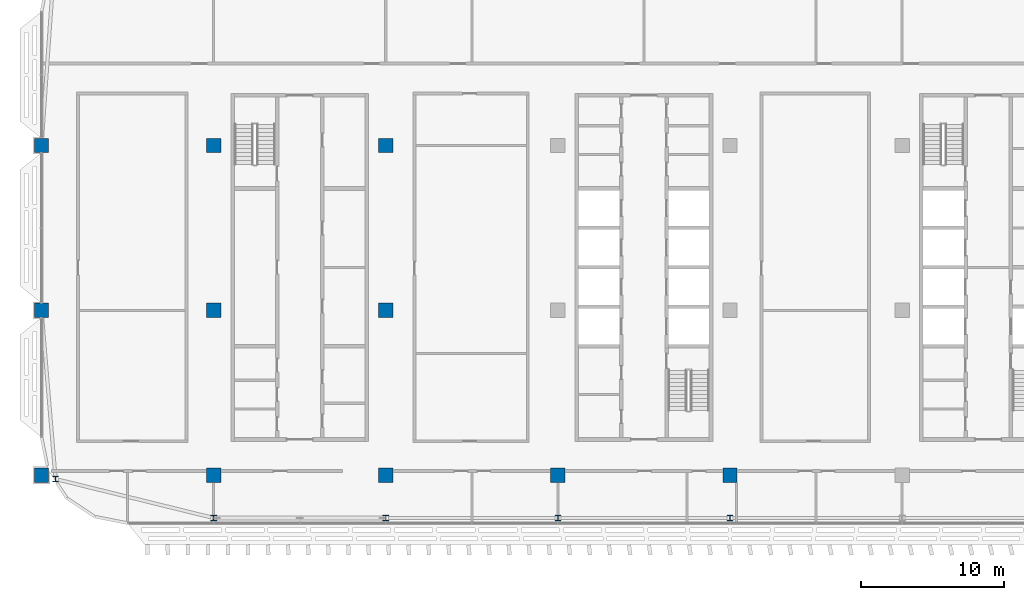
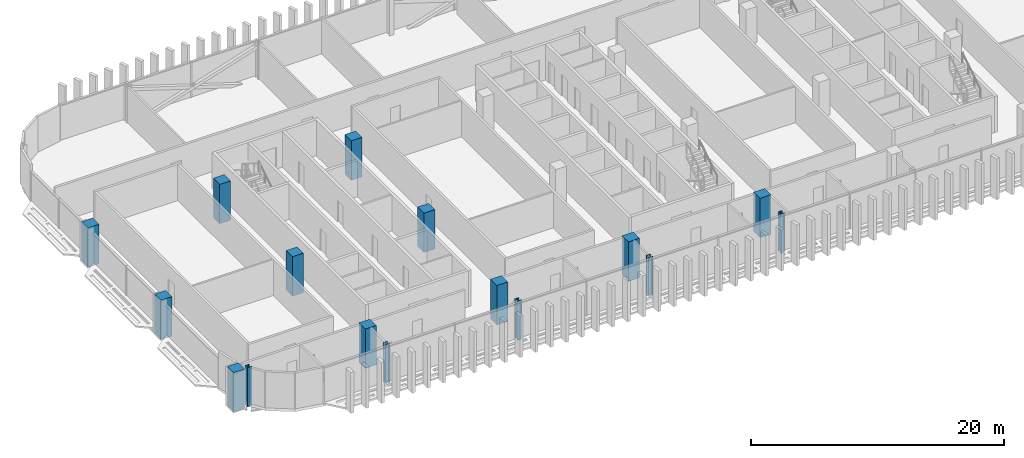
# One storey, part 1 of 35: 16 columns.
"""IFC4 building model written with IfcOpenShell, lengths in metres."""

from ifc_helpers import new_model, si_unit, direction, frame, origin, origin_2d, place, context, subcontext, project, spatial, rectangle, i_section, extrude, material, material_profile, profile_set, type_object, element, save


model = new_model("IFC4")

# Units and contexts
model_context = context("Model", 3, precision=1e-05, world=origin(), true_north=direction((0.0, 1.0)))
body_context = subcontext(model_context, "Body", "Model", "MODEL_VIEW")
ifc_project = project(units=[si_unit("LENGTHUNIT", "METRE"), si_unit("AREAUNIT", "SQUARE_METRE"), si_unit("VOLUMEUNIT", "CUBIC_METRE"), si_unit("PLANEANGLEUNIT", "RADIAN"), si_unit("MASSUNIT", "GRAM", prefix="KILO")], contexts=[model_context])

# Site, building, storey
site_placement = place(None, origin())
site = spatial("IfcSite", under=ifc_project, at=site_placement, CompositionType="ELEMENT")
building_placement = place(site_placement, origin())
building = spatial("IfcBuilding", under=site, at=building_placement, Name="Mahtab Terrace Research Tower", CompositionType="ELEMENT")
storey_placement = place(building_placement, frame((0.0, 0.0, 251.39990234375)))
storey = spatial("IfcBuildingStorey", under=building, at=storey_placement, Name="L61", CompositionType="ELEMENT", Elevation=251.39990234375)

# Columns
ifc_material_1 = material(Name="Concrete C70/85", Category="concrete")
ifc_material_profile_1 = material_profile(ifc_material_1, rectangle(XDim=1.0, YDim=1.0, at=origin_2d()), Name="RC column 1000x1000")
ifc_profile_set_1 = profile_set([ifc_material_profile_1], Name="Concrete C70/85")
column_type_1 = type_object("IfcColumnType", Name="RC column 1000x1000", PredefinedType="COLUMN", material=ifc_profile_set_1)
for number, where, z_axis, x_axis, name in (
    (1, (-42.0, -11.5, -0.33984375), (0.0, 0.0, 1.0), (1.0, 0.0, 0.0), "Column RC-1A L61"),
    (2, (-42.0, 0.0, -0.33984375), (0.0, 0.0, 1.0), (1.0, 0.0, 0.0), "Column RC-1B L61"),
    (3, (-42.0, 11.5, -0.33984375), (0.0, 0.0, 1.0), (1.0, 0.0, 0.0), "Column RC-1C L61"),
    (4, (-30.0, -11.5, -0.33984375), (0.0, 0.0, 1.0), (1.0, 0.0, 0.0), "Column RC-2A L61"),
    (5, (-30.0, 0.0, -0.33984375), (0.0, 0.0, 1.0), (1.0, 0.0, 0.0), "Column RC-2B L61"),
    (6, (-30.0, 11.5, -0.33984375), (0.0, 0.0, 1.0), (1.0, 0.0, 0.0), "Column RC-2C L61"),
    (7, (-18.0, -11.5, -0.33984375), (0.0, 0.0, 1.0), (1.0, 0.0, 0.0), "Column RC-3A L61"),
    (8, (-18.0, 0.0, -0.33984375), (0.0, 0.0, 1.0), (1.0, 0.0, 0.0), "Column RC-3B L61"),
    (9, (-18.0, 11.5, -0.33984375), (0.0, 0.0, 1.0), (1.0, 0.0, 0.0), "Column RC-3C L61"),
    (10, (-6.0, -11.5, -0.33984375), (0.0, 0.0, 1.0), (1.0, 0.0, 0.0), "Column RC-4A L61"),
    (11, (6.0, -11.5, -0.33984375), (0.0, 0.0, 1.0), (1.0, 0.0, 0.0), "Column RC-5A L61"),
):
    element("IfcColumn", number, at=place(storey_placement, frame(where, z_axis=z_axis, x_axis=x_axis)), inside=storey, type_object=column_type_1, Name=name, PredefinedType="COLUMN", context=body_context, shape_type="SweptSolid", body=[
        extrude(rectangle(XDim=1.0, YDim=1.0, at=origin_2d()), origin(), (0.0, 0.0, 1.0), 3.800048828125),
    ])
ifc_material_2 = material(Name="Steel ASTM A992 Gr 50", Category="steel")
ifc_material_profile_2 = material_profile(ifc_material_2, i_section(OverallWidth=0.398681640625, OverallDepth=0.385986328125, WebThickness=0.02099609375, FlangeThickness=0.033203125, at=origin_2d()), Name="W14X176")
ifc_profile_set_2 = profile_set([ifc_material_profile_2], Name="Steel ASTM A992 Gr 50")
column_type_2 = type_object("IfcColumnType", Name="W14x176 column CS14176", PredefinedType="COLUMN", material=ifc_profile_set_2)
for number, where, z_axis, x_axis, name in (
    (12, (-41.02099609375, -11.758056640625, -0.33984375), (0.0, 0.0, 1.0), (1.0, 0.0, 0.0), "Column SC-061 L61"),
    (13, (-30.0, -14.472900390625, -0.33984375), (0.0, 0.0, 1.0), (1.0, 0.0, 0.0), "Column SC-062 L61"),
    (14, (-18.0, -14.472900390625, -0.33984375), (0.0, 0.0, 1.0), (1.0, 0.0, 0.0), "Column SC-063 L61"),
    (15, (-6.0, -14.472900390625, -0.33984375), (0.0, 0.0, 1.0), (1.0, 0.0, 0.0), "Column SC-064 L61"),
    (16, (6.0, -14.472900390625, -0.33984375), (0.0, 0.0, 1.0), (1.0, 0.0, 0.0), "Column SC-065 L61"),
):
    element("IfcColumn", number, at=place(storey_placement, frame(where, z_axis=z_axis, x_axis=x_axis)), inside=storey, type_object=column_type_2, Name=name, PredefinedType="COLUMN", context=body_context, shape_type="SweptSolid", body=[
        extrude(i_section(OverallWidth=0.398681640625, OverallDepth=0.385986328125, WebThickness=0.02099609375, FlangeThickness=0.033203125, at=origin_2d()), origin(), (0.0, 0.0, 1.0), 3.800048828125),
    ])

save(model, "model.ifc")
